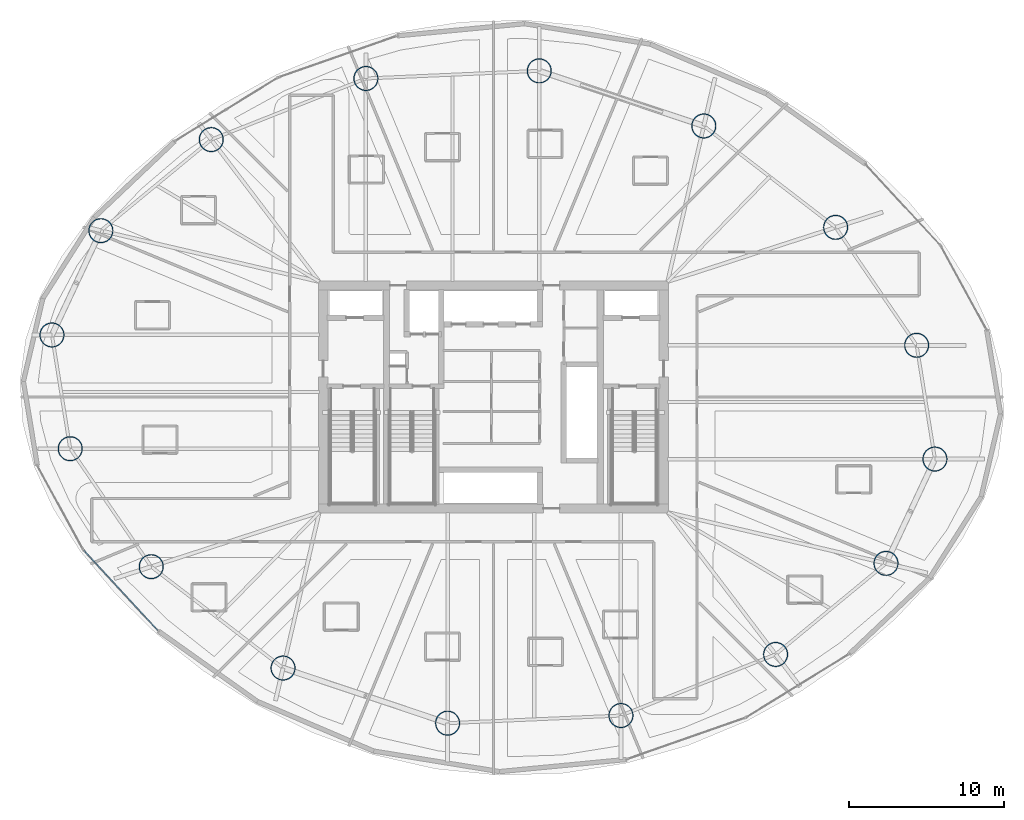
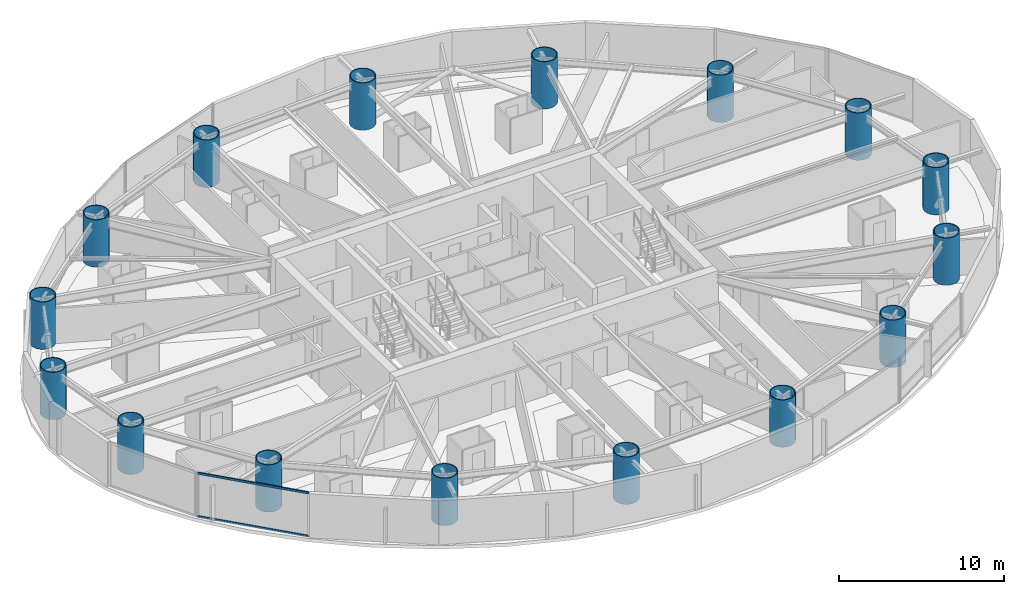
# One storey, part 1 of 27: 16 columns, 2 members, 1 element without a shape of its own.
"""IFC4 building model written with IfcOpenShell, lengths in metres."""

from ifc_helpers import new_model, si_unit, direction, frame, origin, origin_2d, place, context, subcontext, project, spatial, hollow_rectangle, hollow_circle, extrude, material, layer, layer_set, material_profile, profile_set, type_object, element, aggregate, save


model = new_model("IFC4")

# Units and contexts
model_context = context("Model", 3, precision=1e-05, world=origin(), true_north=direction((0.0, 1.0)))
body_context = subcontext(model_context, "Body", "Model", "MODEL_VIEW")
ifc_project = project(units=[si_unit("LENGTHUNIT", "METRE"), si_unit("AREAUNIT", "SQUARE_METRE"), si_unit("VOLUMEUNIT", "CUBIC_METRE"), si_unit("PLANEANGLEUNIT", "RADIAN"), si_unit("MASSUNIT", "GRAM", prefix="KILO")], contexts=[model_context])

# Site, building, storey
site_placement = place(None, origin())
site = spatial("IfcSite", under=ifc_project, at=site_placement, CompositionType="ELEMENT")
building_placement = place(site_placement, origin())
building = spatial("IfcBuilding", under=site, at=building_placement, Name="Bramvorn Convention Spire", CompositionType="ELEMENT")
storey_placement = place(building_placement, frame((0.0, 0.0, 44.89990234375)))
storey = spatial("IfcBuildingStorey", under=building, at=storey_placement, Name="L08", CompositionType="ELEMENT", Elevation=44.89990234375)

# Columns
ifc_material_1 = material(Name="Steel CSA G40.21 Grade 350 (350W)", Category="steel")
ifc_material_profile_1 = material_profile(ifc_material_1, hollow_circle(Radius=0.800048828125, WallThickness=0.06005859375, at=origin_2d()))
ifc_profile_set_1 = profile_set([ifc_material_profile_1], Name="Steel CSA G40.21 Grade 350 (350W) - CFT1600X60")
column_type = type_object("IfcColumnType", Name="COL-CFT1600X60", PredefinedType="COLUMN", material=ifc_profile_set_1)
for number, where, z_axis, x_axis, name in (
    (1, (66.519775390625, 21.99169921875, 0.0), (0.0, 0.0, 1.0), (1.0, 0.0, 0.0), "L08 composite CFT mega-column MC01"),
    (2, (65.338623046875, 29.340087890625, 0.0), (0.0, 0.0, 1.0), (1.0, 0.0, 0.0), "L08 composite CFT mega-column MC02"),
    (3, (60.105224609375, 36.960205078125, 0.0), (0.0, 0.0, 1.0), (1.0, 0.0, 0.0), "L08 composite CFT mega-column MC03"),
    (4, (51.59033203125, 43.509033203125, 0.0), (0.0, 0.0, 1.0), (1.0, 0.0, 0.0), "L08 composite CFT mega-column MC04"),
    (5, (40.9609375, 47.06884765625, 0.0), (0.0, 0.0, 1.0), (1.0, 0.0, 0.0), "L08 composite CFT mega-column MC05"),
    (6, (29.76220703125, 46.57666015625, 0.0), (0.0, 0.0, 1.0), (1.0, 0.0, 0.0), "L08 composite CFT mega-column MC06"),
    (7, (19.772216796875, 42.628662109375, 0.0), (0.0, 0.0, 1.0), (1.0, 0.0, 0.0), "L08 composite CFT mega-column MC07"),
    (8, (12.64111328125, 36.746337890625, 0.0), (0.0, 0.0, 1.0), (1.0, 0.0, 0.0), "L08 composite CFT mega-column MC08"),
    (9, (9.480224609375, 30.00830078125, 0.0), (0.0, 0.0, 1.0), (1.0, 0.0, 0.0), "L08 composite CFT mega-column MC09"),
    (10, (10.661376953125, 22.659912109375, 0.0), (0.0, 0.0, 1.0), (1.0, 0.0, 0.0), "L08 composite CFT mega-column MC10"),
    (11, (15.894775390625, 15.039794921875, 0.0), (0.0, 0.0, 1.0), (1.0, 0.0, 0.0), "L08 composite CFT mega-column MC11"),
    (12, (24.40966796875, 8.490966796875, 0.0), (0.0, 0.0, 1.0), (1.0, 0.0, 0.0), "L08 composite CFT mega-column MC12"),
    (13, (35.0390625, 4.93115234375, 0.0), (0.0, 0.0, 1.0), (1.0, 0.0, 0.0), "L08 composite CFT mega-column MC13"),
    (14, (46.23779296875, 5.42333984375, 0.0), (0.0, 0.0, 1.0), (1.0, 0.0, 0.0), "L08 composite CFT mega-column MC14"),
    (15, (56.227783203125, 9.371337890625, 0.0), (0.0, 0.0, 1.0), (1.0, 0.0, 0.0), "L08 composite CFT mega-column MC15"),
    (16, (63.35888671875, 15.253662109375, 0.0), (0.0, 0.0, 1.0), (1.0, 0.0, 0.0), "L08 composite CFT mega-column MC16"),
):
    element("IfcColumn", number, at=place(storey_placement, frame(where, z_axis=z_axis, x_axis=x_axis)), inside=storey, type_object=column_type, Name=name, PredefinedType="COLUMN", context=body_context, shape_type="SweptSolid", body=[
        extrude(hollow_circle(Radius=0.800048828125, WallThickness=0.06005859375, at=origin_2d()), origin(), (0.0, 0.0, 1.0), 3.5),
    ])

# Curtain wall, members
ifc_material_2 = material(Name="Anodised Bronze Unitised Curtain Wall", Category="aluminium")
ifc_layer = layer(ifc_material_2, 0.179931640625)
ifc_layer_set = layer_set([ifc_layer], Name="Anodised Bronze Unitised Curtain Wall - CW-HTL-FRIT")
curtain_wall_type = type_object("IfcCurtainWallType", Name="CW-HTL-FRIT", PredefinedType="USERDEFINED", material=ifc_layer_set)
curtain_wall_placement = place(storey_placement, origin())
curtain_wall = element("IfcCurtainWall", 17, at=curtain_wall_placement, inside=storey, type_object=curtain_wall_type, Name="L08 fritted glass curtain wall 15", ObjectType="UNITISED CURTAIN WALL", PredefinedType="USERDEFINED")
ifc_material_3 = material(Name="Anodised Bronze Aluminium 6063-T6", Category="aluminium")
ifc_material_profile_2 = material_profile(ifc_material_3, hollow_rectangle(XDim=0.080078125, YDim=0.159912109375, WallThickness=0.00390625, InnerFilletRadius=0.0009765625, OuterFilletRadius=0.00390625, at=origin_2d()))
ifc_profile_set_2 = profile_set([ifc_material_profile_2], Name="Anodised Bronze Aluminium 6063-T6 - CWT80X160")
member_type = type_object("IfcMemberType", Name="CW-TRN-150", PredefinedType="USERDEFINED", material=ifc_profile_set_2)
member_1_placement = place(storey_placement, frame((16.315673828125, 10.92822265625, 0.030029296875), z_axis=(-0.678622223961, 0.734487492846, 0.0), x_axis=(-0.734487492846, -0.678622223961, 0.0)))
member_1 = element("IfcMember", 18, at=member_1_placement, type_object=member_type, Name="CW2 transom 1.1", ObjectType="TRANSOM", PredefinedType="USERDEFINED", context=body_context, shape_type="SweptSolid", body=[
    extrude(hollow_rectangle(XDim=0.080078125, YDim=0.159912109375, WallThickness=0.00390625, InnerFilletRadius=0.0009765625, OuterFilletRadius=0.00390625, at=origin_2d()), origin(), (0.0, 0.0, 1.0), 7.02294921875),
])
member_2_placement = place(storey_placement, frame((16.315673828125, 10.92822265625, 3.22021484375), z_axis=(-0.678622223961, 0.734487492846, 0.0), x_axis=(-0.734487492846, -0.678622223961, 0.0)))
member_2 = element("IfcMember", 19, at=member_2_placement, type_object=member_type, Name="CW2 transom 1.2", ObjectType="TRANSOM", PredefinedType="USERDEFINED", context=body_context, shape_type="SweptSolid", body=[
    extrude(hollow_rectangle(XDim=0.080078125, YDim=0.159912109375, WallThickness=0.00390625, InnerFilletRadius=0.0009765625, OuterFilletRadius=0.00390625, at=origin_2d()), origin(), (0.0, 0.0, 1.0), 7.02294921875),
])
aggregate(curtain_wall, [member_1, member_2])

save(model, "model.ifc")
